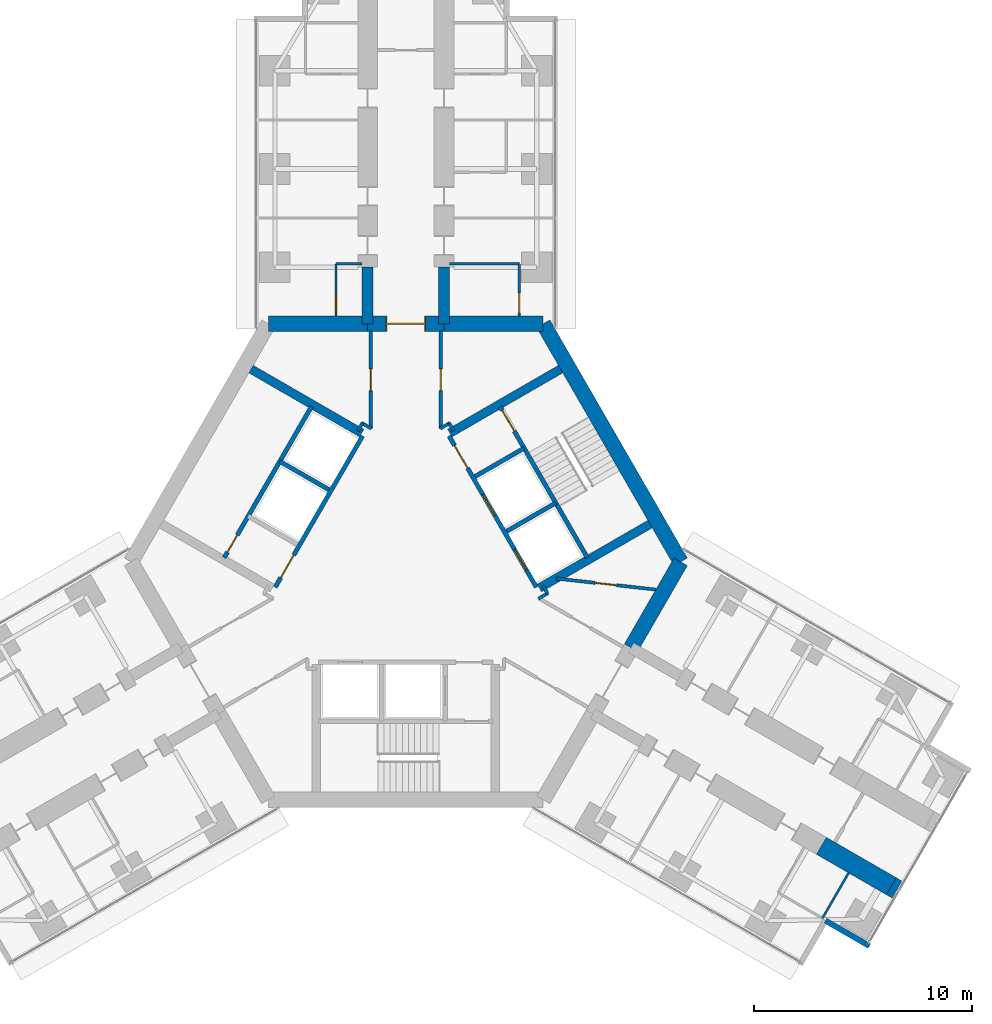
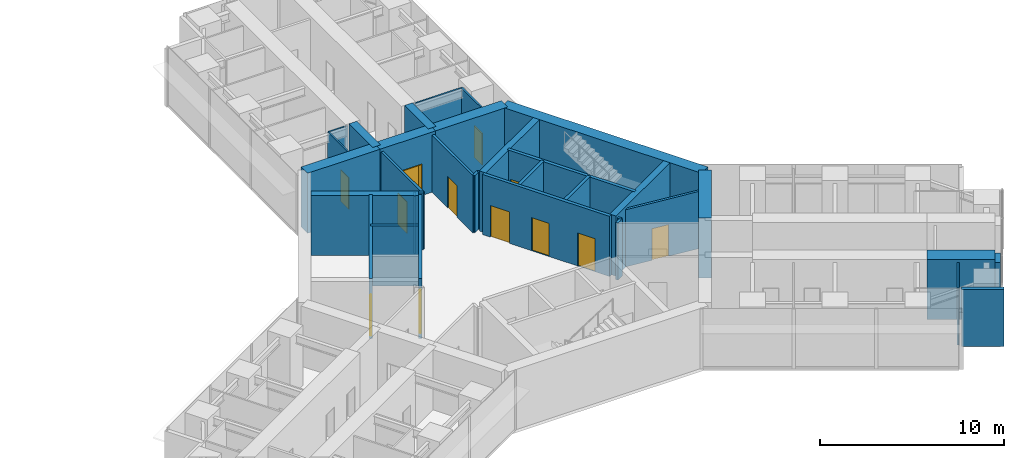
# One storey, part 22 of 25: 34 walls, 12 doors, 12 openings.
"""IFC4 building model written with IfcOpenShell, lengths in metres."""

from ifc_helpers import new_model, si_unit, direction, frame, frame_2d, origin, place, context, subcontext, project, spatial, rectangle, extrude, material, layer, layer_set, type_object, element, fill, save


model = new_model("IFC4")

# Units and contexts
model_context = context("Model", 3, precision=1e-05, world=origin(), true_north=direction((0.0, 1.0)))
body_context = subcontext(model_context, "Body", "Model", "MODEL_VIEW")
ifc_project = project(units=[si_unit("LENGTHUNIT", "METRE"), si_unit("AREAUNIT", "SQUARE_METRE"), si_unit("VOLUMEUNIT", "CUBIC_METRE"), si_unit("PLANEANGLEUNIT", "RADIAN"), si_unit("MASSUNIT", "GRAM", prefix="KILO")], contexts=[model_context])

# Site, building, storey
site_placement = place(None, origin())
site = spatial("IfcSite", under=ifc_project, at=site_placement, CompositionType="ELEMENT")
building_placement = place(site_placement, origin())
building = spatial("IfcBuilding", under=site, at=building_placement, Name="Upepo Twin Towers", CompositionType="ELEMENT")
storey_placement = place(building_placement, frame((0.0, 0.0, 80.5)))
storey = spatial("IfcBuildingStorey", under=building, at=storey_placement, Name="L19", CompositionType="ELEMENT", Elevation=80.5)

# Walls
ifc_material_1 = material(Name="Dense concrete blockwork", Category="masonry")
ifc_layer_1 = layer(ifc_material_1, 0.89990234375)
ifc_layer_set_1 = layer_set([ifc_layer_1], Name="Buttress closer 900, blockwork with fire-stopping to the curtain wall")
wall_type_1 = type_object("IfcWallType", Name="Buttress closer 900, blockwork with fire-stopping to the curtain wall", PredefinedType="PARTITIONING", material=ifc_layer_set_1)
wall_1_placement = place(storey_placement, frame((80.747802734375, -32.865478515625, 0.0), z_axis=(0.0, 0.0, 1.0), x_axis=(0.866054481515, -0.499949632511, 0.0)))
element("IfcWall", 1, at=wall_1_placement, inside=storey, type_object=wall_type_1, Name="T2 L19 wing C buttress closer R", PredefinedType="PARTITIONING", context=body_context, shape_type="SweptSolid", body=[
    extrude(rectangle(XDim=0.31005859375, YDim=0.89990234375, at=frame_2d((0.155029296875, 0.0))), origin(), (0.0, 0.0, 1.0), 3.800048828125),
])
ifc_material_2 = material(Name="Concrete C60/75", Category="concrete")
ifc_layer_2 = layer(ifc_material_2, 0.5)
ifc_layer_set_2 = layer_set([ifc_layer_2], Name="Concrete C60/75")
wall_type_2 = type_object("IfcWallType", Name="Buttress wall 500 RC", PredefinedType="SHEAR", material=ifc_layer_set_2)
for number, where, z_axis, x_axis, name in (
    (2, (56.75, -7.091552734375, 0.0), (0.0, 0.0, 1.0), (0.0, 1.0, 0.0), "T2 wing A buttress wall L"),
    (3, (60.25, -7.091552734375, 0.0), (0.0, 0.0, 1.0), (0.0, 1.0, 0.0), "T2 wing A buttress wall R"),
):
    element("IfcWall", number, at=place(storey_placement, frame(where, z_axis=z_axis, x_axis=x_axis)), inside=storey, type_object=wall_type_2, Name=name, PredefinedType="SHEAR", context=body_context, shape_type="SweptSolid", body=[
        extrude(rectangle(XDim=2.591552734375, YDim=0.5, at=frame_2d((1.2958984375, 0.0))), origin(), (0.0, 0.0, 1.0), 4.0),
    ])
ifc_material_3 = material(Name="Concrete C60/75", Category="concrete")
ifc_layer_3 = layer(ifc_material_3, 0.89990234375)
ifc_layer_set_3 = layer_set([ifc_layer_3], Name="Concrete C60/75")
wall_type_3 = type_object("IfcWallType", Name="Buttress wall 900 RC", PredefinedType="SHEAR", material=ifc_layer_set_3)
wall_2_placement = place(storey_placement, frame((77.543701171875, -31.015625, 0.0), z_axis=(0.0, 0.0, 1.0), x_axis=(0.866029545028, -0.499992827086, 0.0)))
element("IfcWall", 4, at=wall_2_placement, inside=storey, type_object=wall_type_3, Name="T2 wing C buttress wall R part 3", PredefinedType="SHEAR", context=body_context, shape_type="SweptSolid", body=[
    extrude(rectangle(XDim=3.69970703125, YDim=0.89990234375, at=frame_2d((1.849853515625, 0.0))), origin(), (0.0, 0.0, 1.0), 4.0),
])
ifc_material_4 = material(Name="Concrete C60/75", Category="concrete")
ifc_layer_4 = layer(ifc_material_4, 0.699951171875)
ifc_layer_set_4 = layer_set([ifc_layer_4], Name="Concrete C60/75")
wall_type_4 = type_object("IfcWallType", Name="Core wall 700 RC", PredefinedType="SHEAR", material=ifc_layer_set_4)
wall_3_placement = place(storey_placement, frame((64.7978515625, -7.091552734375, 0.0), z_axis=(0.0, 0.0, 1.0), x_axis=(-1.0, 0.0, 0.0)))
element("IfcWall", 5, at=wall_3_placement, inside=storey, type_object=wall_type_4, Name="T2 core wall 000 R", PredefinedType="SHEAR", context=body_context, shape_type="SweptSolid", body=[
    extrude(rectangle(XDim=4.5478515625, YDim=0.699951171875, at=frame_2d((2.27392578125, 0.0))), origin(), (0.0, 0.0, 1.0), 4.0),
])

# Wall, opening, door
wall_4_placement = place(storey_placement, frame((60.25, -7.091552734375, 0.0), z_axis=(0.0, 0.0, 1.0), x_axis=(-1.0, 0.0, 0.0)))
wall_4 = element("IfcWall", 6, at=wall_4_placement, inside=storey, type_object=wall_type_4, Name="T2 core wall 000", PredefinedType="SHEAR", context=body_context, shape_type="SweptSolid", body=[
    extrude(rectangle(XDim=3.5, YDim=0.699951171875, at=frame_2d((1.75, 0.0))), origin(), (0.0, 0.0, 1.0), 4.0),
])
opening_1_placement = place(wall_4_placement, frame((0.85009765625, 0.0, 0.0)))
opening_1 = element("IfcOpeningElement", 7, at=opening_1_placement, cuts=wall_4, Name="Opening D2", PredefinedType="OPENING", context=body_context, shape_type="SweptSolid", body=[
    extrude(rectangle(XDim=1.800048828125, YDim=2.10009765625, at=frame_2d((0.89990234375, 1.050048828125))), frame((0.0, 0.35986328125, 0.0), z_axis=(0.0, -1.0, 0.0), x_axis=(1.0, 0.0, 0.0)), (0.0, 0.0, 1.0), 0.719970703125),
])
ifc_material_5 = material(Name="Timber doorset", Category="wood")
door_type_1 = type_object("IfcDoorType", Name="Corridor double door 1800 FD60", OperationType="DOUBLE_DOOR_DOUBLE_SWING", PredefinedType="DOOR", material=ifc_material_5)
door_1_placement = place(opening_1_placement, origin())
door_1 = element("IfcDoor", 8, at=door_1_placement, inside=storey, type_object=door_type_1, Name="T2 L19 wing A corridor door", OperationType="DOUBLE_DOOR_DOUBLE_SWING", OverallHeight=2.10009765625, OverallWidth=1.800048828125, PredefinedType="DOOR", context=body_context, shape_type="SweptSolid", body=[
    extrude(rectangle(XDim=1.720048828125, YDim=2.06009765625, at=frame_2d((0.89990234375, 1.030029296875))), frame((0.0, 0.02490234375, 0.0), z_axis=(0.0, -1.0, 0.0), x_axis=(1.0, 0.0, 0.0)), (0.0, 0.0, 1.0), 0.050048828125),
    extrude(rectangle(XDim=0.04, YDim=2.10009765625, at=frame_2d((0.02001953125, 1.050048828125))), frame((0.0, 0.349609375, 0.0), z_axis=(0.0, -1.0, 0.0), x_axis=(1.0, 0.0, 0.0)), (0.0, 0.0, 1.0), 0.699462890625),
    extrude(rectangle(XDim=0.04, YDim=2.10009765625, at=frame_2d((1.780029296875, 1.050048828125))), frame((0.0, 0.349609375, 0.0), z_axis=(0.0, -1.0, 0.0), x_axis=(1.0, 0.0, 0.0)), (0.0, 0.0, 1.0), 0.699462890625),
    extrude(rectangle(XDim=1.720048828125, YDim=0.04, at=frame_2d((0.89990234375, 2.080078125))), frame((0.0, 0.349609375, 0.0), z_axis=(0.0, -1.0, 0.0), x_axis=(1.0, 0.0, 0.0)), (0.0, 0.0, 1.0), 0.699462890625),
])
fill(opening_1, door_1)

# Walls
wall_5_placement = place(storey_placement, frame((56.75, -7.091552734375, 0.0), z_axis=(0.0, 0.0, 1.0), x_axis=(-1.0, 0.0, 0.0)))
element("IfcWall", 9, at=wall_5_placement, inside=storey, type_object=wall_type_4, Name="T2 core wall 000 L", PredefinedType="SHEAR", context=body_context, shape_type="SweptSolid", body=[
    extrude(rectangle(XDim=4.5478515625, YDim=0.699951171875, at=frame_2d((2.27392578125, 0.0))), origin(), (0.0, 0.0, 1.0), 4.0),
])
wall_6_placement = place(storey_placement, frame((68.82177734375, -21.938720703125, 0.0), z_axis=(0.0, 0.0, 1.0), x_axis=(0.500024481964, 0.866011268655, 0.0)))
element("IfcWall", 10, at=wall_6_placement, inside=storey, type_object=wall_type_4, Name="T2 core wall 240 L", PredefinedType="SHEAR", context=body_context, shape_type="SweptSolid", body=[
    extrude(rectangle(XDim=4.548095703125, YDim=0.699951171875, at=frame_2d((2.27392578125, 0.0))), origin(), (0.0, 0.0, 1.0), 4.0),
])
wall_7_placement = place(storey_placement, frame((71.095947265625, -18.0, 0.0), z_axis=(0.0, 0.0, 1.0), x_axis=(-0.500005998175, 0.866021940709, 0.0)))
element("IfcWall", 11, at=wall_7_placement, inside=storey, type_object=wall_type_4, Name="T2 core wall 300", PredefinedType="SHEAR", context=body_context, shape_type="SweptSolid", body=[
    extrude(rectangle(XDim=12.595947265625, YDim=0.699951171875, at=frame_2d((6.2978515625, 0.0))), origin(), (0.0, 0.0, 1.0), 4.0),
])
ifc_material_6 = material(Name="Blockwork with anodised aluminium cladding", Category="masonry")
ifc_layer_5 = layer(ifc_material_6, 0.25)
ifc_layer_set_5 = layer_set([ifc_layer_5], Name="Notch cladding wall 250, pale metal")
wall_type_5 = type_object("IfcWallType", Name="Notch cladding wall 250, pale metal", PredefinedType="STANDARD", material=ifc_layer_set_5)
wall_8_placement = place(storey_placement, frame((77.72998046875, -34.44287109375, 0.0), z_axis=(0.0, 0.0, 1.0), x_axis=(0.865998469481, -0.500046648681, 0.0)))
element("IfcWall", 12, at=wall_8_placement, inside=storey, type_object=wall_type_5, Name="T2 L19 wing C notch wall R2", PredefinedType="STANDARD", context=body_context, shape_type="SweptSolid", body=[
    extrude(rectangle(XDim=2.324951171875, YDim=0.25, at=frame_2d((1.16259765625, 0.0))), origin(), (0.0, 0.0, 1.0), 3.800048828125),
])

# Wall, opening, door
ifc_material_7 = material(Name="Gypsum board on steel studs", Category="steel")
ifc_layer_6 = layer(ifc_material_7, 0.10009765625)
ifc_layer_set_6 = layer_set([ifc_layer_6], Name="Office partition 100 stud")
wall_type_6 = type_object("IfcWallType", Name="Office partition 100 stud", PredefinedType="PARTITIONING", material=ifc_layer_set_6)
wall_9_placement = place(storey_placement, frame((55.300048828125, -6.741943359375, 0.0), z_axis=(0.0, 0.0, 1.0), x_axis=(0.0, 1.0, 0.0)))
wall_9 = element("IfcWall", 13, at=wall_9_placement, inside=storey, type_object=wall_type_6, Name="T2 WC bay partition AL at 11.26", PredefinedType="PARTITIONING", context=body_context, shape_type="SweptSolid", body=[
    extrude(rectangle(XDim=2.39990234375, YDim=0.10009765625, at=frame_2d((1.199951171875, 0.0))), origin(), (0.0, 0.0, 1.0), 3.800048828125),
])
opening_2_placement = place(wall_9_placement, frame((0.14990234375, 0.0, 0.0)))
opening_2 = element("IfcOpeningElement", 14, at=opening_2_placement, cuts=wall_9, Name="Opening D14", PredefinedType="OPENING", context=body_context, shape_type="SweptSolid", body=[
    extrude(rectangle(XDim=0.89990234375, YDim=2.10009765625, at=frame_2d((0.449951171875, 1.050048828125))), frame((0.0, 0.06005859375, 0.0), z_axis=(0.0, -1.0, 0.0), x_axis=(1.0, 0.0, 0.0)), (0.0, 0.0, 1.0), 0.1201171875),
])
ifc_material_8 = material(Name="Timber doorset", Category="wood")
door_type_2 = type_object("IfcDoorType", Name="Office door 900 FD30", OperationType="SINGLE_SWING_LEFT", PredefinedType="DOOR", material=ifc_material_8)
door_2_placement = place(opening_2_placement, origin())
door_2 = element("IfcDoor", 15, at=door_2_placement, inside=storey, type_object=door_type_2, Name="T2 L19 WC bay inner room door", OperationType="SINGLE_SWING_LEFT", OverallHeight=2.10009765625, OverallWidth=0.89990234375, PredefinedType="DOOR", context=body_context, shape_type="SweptSolid", body=[
    extrude(rectangle(XDim=0.89990234375, YDim=2.10009765625, at=frame_2d((0.449951171875, 1.050048828125))), frame((0.0, 0.02490234375, 0.0), z_axis=(0.0, -1.0, 0.0), x_axis=(1.0, 0.0, 0.0)), (0.0, 0.0, 1.0), 0.050048828125),
])
fill(opening_2, door_2)

# Wall
wall_10_placement = place(storey_placement, frame((56.5, -4.342041015625, 0.0), z_axis=(0.0, 0.0, 1.0), x_axis=(-1.0, 0.0, 0.0)))
element("IfcWall", 16, at=wall_10_placement, inside=storey, type_object=wall_type_6, Name="T2 WC bay partition AL end at 13.66", PredefinedType="PARTITIONING", context=body_context, shape_type="SweptSolid", body=[
    extrude(rectangle(XDim=1.199951171875, YDim=0.10009765625, at=frame_2d((0.60009765625, 0.0))), origin(), (0.0, 0.0, 1.0), 3.800048828125),
])

# Wall, opening, door
wall_11_placement = place(storey_placement, frame((63.699951171875, -6.741943359375, 0.0), z_axis=(0.0, 0.0, 1.0), x_axis=(0.0, 1.0, 0.0)))
wall_11 = element("IfcWall", 17, at=wall_11_placement, inside=storey, type_object=wall_type_6, Name="T2 WC bay partition AR at 11.26", PredefinedType="PARTITIONING", context=body_context, shape_type="SweptSolid", body=[
    extrude(rectangle(XDim=2.39990234375, YDim=0.10009765625, at=frame_2d((1.199951171875, 0.0))), origin(), (0.0, 0.0, 1.0), 3.800048828125),
])
opening_3_placement = place(wall_11_placement, frame((0.14990234375, 0.0, 0.0)))
opening_3 = element("IfcOpeningElement", 18, at=opening_3_placement, cuts=wall_11, Name="Opening D14", PredefinedType="OPENING", context=body_context, shape_type="SweptSolid", body=[
    extrude(rectangle(XDim=0.89990234375, YDim=2.10009765625, at=frame_2d((0.449951171875, 1.050048828125))), frame((0.0, 0.06005859375, 0.0), z_axis=(0.0, -1.0, 0.0), x_axis=(1.0, 0.0, 0.0)), (0.0, 0.0, 1.0), 0.1201171875),
])
door_3_placement = place(opening_3_placement, origin())
door_3 = element("IfcDoor", 19, at=door_3_placement, inside=storey, type_object=door_type_2, Name="T2 L19 WC bay inner room door", OperationType="SINGLE_SWING_LEFT", OverallHeight=2.10009765625, OverallWidth=0.89990234375, PredefinedType="DOOR", context=body_context, shape_type="SweptSolid", body=[
    extrude(rectangle(XDim=0.89990234375, YDim=2.10009765625, at=frame_2d((0.449951171875, 1.050048828125))), frame((0.0, 0.02490234375, 0.0), z_axis=(0.0, -1.0, 0.0), x_axis=(1.0, 0.0, 0.0)), (0.0, 0.0, 1.0), 0.050048828125),
])
fill(opening_3, door_3)

# Walls
wall_12_placement = place(storey_placement, frame((60.5, -4.342041015625, 0.0), z_axis=(0.0, 0.0, 1.0), x_axis=(1.0, 0.0, 0.0)))
element("IfcWall", 20, at=wall_12_placement, inside=storey, type_object=wall_type_6, Name="T2 WC bay partition AR end at 13.66", PredefinedType="PARTITIONING", context=body_context, shape_type="SweptSolid", body=[
    extrude(rectangle(XDim=3.199951171875, YDim=0.10009765625, at=frame_2d((1.60009765625, 0.0))), origin(), (0.0, 0.0, 1.0), 3.800048828125),
])
wall_13_placement = place(storey_placement, frame((78.790771484375, -32.25537109375, 0.0), z_axis=(0.0, 0.0, 1.0), x_axis=(-0.500001309137, -0.866024647952, 0.0)))
element("IfcWall", 21, at=wall_13_placement, inside=storey, type_object=wall_type_6, Name="T2 inner room partition CR end at 24.75", PredefinedType="PARTITIONING", context=body_context, shape_type="SweptSolid", body=[
    extrude(rectangle(XDim=2.39990234375, YDim=0.10009765625, at=frame_2d((1.199951171875, 0.0))), origin(), (0.0, 0.0, 1.0), 3.800048828125),
])

# Wall, opening, door
ifc_material_9 = material(Name="Concrete C40/50", Category="concrete")
ifc_layer_7 = layer(ifc_material_9, 0.199951171875)
ifc_layer_set_7 = layer_set([ifc_layer_7], Name="Concrete C40/50")
wall_type_7 = type_object("IfcWallType", Name="Shaft wall 200 RC", PredefinedType="SHEAR", material=ifc_layer_set_7)
wall_14_placement = place(storey_placement, frame((56.516357421875, -12.23583984375, 0.0), z_axis=(0.0, 0.0, 1.0), x_axis=(-0.49999894854, -0.866026010844, 0.0)))
wall_14 = element("IfcWall", 22, at=wall_14_placement, inside=storey, type_object=wall_type_7, Name="T2 core W60 front wall", PredefinedType="SHEAR", context=body_context, shape_type="SweptSolid", body=[
    extrude(rectangle(XDim=8.0, YDim=0.199951171875, at=frame_2d((4.0, 0.0))), origin(), (0.0, 0.0, 1.0), 4.0),
])
opening_4_placement = place(wall_14_placement, frame((6.300048828125, 0.0, 0.0)))
opening_4 = element("IfcOpeningElement", 23, at=opening_4_placement, cuts=wall_14, Name="Opening D4", PredefinedType="OPENING", context=body_context, shape_type="SweptSolid", body=[
    extrude(rectangle(XDim=1.199951171875, YDim=2.10009765625, at=frame_2d((0.60009765625, 1.050048828125))), frame((0.0, 0.10986328125, 0.0), z_axis=(0.0, -1.0, 0.0), x_axis=(1.0, 0.0, 0.0)), (0.0, 0.0, 1.0), 0.219970703125),
])
ifc_material_10 = material(Name="Timber doorset", Category="wood")
door_type_3 = type_object("IfcDoorType", Name="Lobby door 1200 FD60", OperationType="SINGLE_SWING_LEFT", PredefinedType="DOOR", material=ifc_material_10)
door_4_placement = place(opening_4_placement, origin())
door_4 = element("IfcDoor", 24, at=door_4_placement, inside=storey, type_object=door_type_3, Name="T2 L19 W60 lobby door", OperationType="SINGLE_SWING_RIGHT", OverallHeight=2.10009765625, OverallWidth=1.199951171875, PredefinedType="DOOR", context=body_context, shape_type="SweptSolid", body=[
    extrude(rectangle(XDim=1.199951171875, YDim=2.10009765625, at=frame_2d((0.60009765625, 1.050048828125))), frame((0.0, 0.02490234375, 0.0), z_axis=(0.0, -1.0, 0.0), x_axis=(1.0, 0.0, 0.0)), (0.0, 0.0, 1.0), 0.050048828125),
])
fill(opening_4, door_4)

# Wall
wall_15_placement = place(storey_placement, frame((54.979736328125, -14.697265625, 0.0), z_axis=(0.0, 0.0, 1.0), x_axis=(-0.866062058628, 0.499936506574, 0.0)))
element("IfcWall", 25, at=wall_15_placement, inside=storey, type_object=wall_type_7, Name="T2 core W60 shaft divider", PredefinedType="SHEAR", context=body_context, shape_type="SweptSolid", body=[
    extrude(rectangle(XDim=2.599853515625, YDim=0.199951171875, at=frame_2d((1.2998046875, 0.0))), origin(), (0.0, 0.0, 1.0), 4.0),
])

# Wall, opening, door
wall_16_placement = place(storey_placement, frame((54.177978515625, -10.885986328125, 0.0), z_axis=(0.0, 0.0, 1.0), x_axis=(-0.49999894854, -0.866026010844, 0.0)))
wall_16 = element("IfcWall", 26, at=wall_16_placement, inside=storey, type_object=wall_type_7, Name="T2 core W60 stair wall", PredefinedType="SHEAR", context=body_context, shape_type="SweptSolid", body=[
    extrude(rectangle(XDim=8.0, YDim=0.199951171875, at=frame_2d((4.0, 0.0))), origin(), (0.0, 0.0, 1.0), 4.0),
])
opening_5_placement = place(wall_16_placement, frame((6.800048828125, 0.0, 0.0)))
opening_5 = element("IfcOpeningElement", 27, at=opening_5_placement, cuts=wall_16, Name="Opening D9", PredefinedType="OPENING", context=body_context, shape_type="SweptSolid", body=[
    extrude(rectangle(XDim=0.89990234375, YDim=2.10009765625, at=frame_2d((0.449951171875, 1.050048828125))), frame((0.0, 0.10986328125, 0.0), z_axis=(0.0, -1.0, 0.0), x_axis=(1.0, 0.0, 0.0)), (0.0, 0.0, 1.0), 0.219970703125),
])
ifc_material_11 = material(Name="Timber doorset", Category="wood")
door_type_4 = type_object("IfcDoorType", Name="Riser door 900 FD60", OperationType="SINGLE_SWING_LEFT", PredefinedType="DOOR", material=ifc_material_11)
door_5_placement = place(opening_5_placement, origin())
door_5 = element("IfcDoor", 28, at=door_5_placement, inside=storey, type_object=door_type_4, Name="T2 L19 riser door", OperationType="SINGLE_SWING_RIGHT", OverallHeight=2.10009765625, OverallWidth=0.89990234375, PredefinedType="DOOR", context=body_context, shape_type="SweptSolid", body=[
    extrude(rectangle(XDim=0.89990234375, YDim=2.10009765625, at=frame_2d((0.449951171875, 1.050048828125))), frame((0.0, 0.02490234375, 0.0), z_axis=(0.0, -1.0, 0.0), x_axis=(1.0, 0.0, 0.0)), (0.0, 0.0, 1.0), 0.050048828125),
])
fill(opening_5, door_5)

# Wall, openings, doors
wall_17_placement = place(storey_placement, frame((64.483642578125, -19.1640625, 0.0), z_axis=(0.0, 0.0, 1.0), x_axis=(-0.49999894854, 0.866026010844, 0.0)))
wall_17 = element("IfcWall", 29, at=wall_17_placement, inside=storey, type_object=wall_type_7, Name="T2 core W300 front wall", PredefinedType="SHEAR", context=body_context, shape_type="SweptSolid", body=[
    extrude(rectangle(XDim=8.0, YDim=0.199951171875, at=frame_2d((4.0, 0.0))), origin(), (0.0, 0.0, 1.0), 4.0),
])
opening_6_placement = place(wall_17_placement, frame((6.300048828125, 0.0, 0.0)))
opening_6 = element("IfcOpeningElement", 30, at=opening_6_placement, cuts=wall_17, Name="Opening D4", PredefinedType="OPENING", context=body_context, shape_type="SweptSolid", body=[
    extrude(rectangle(XDim=1.199951171875, YDim=2.10009765625, at=frame_2d((0.60009765625, 1.050048828125))), frame((0.0, 0.10986328125, 0.0), z_axis=(0.0, -1.0, 0.0), x_axis=(1.0, 0.0, 0.0)), (0.0, 0.0, 1.0), 0.219970703125),
])
opening_7_placement = place(wall_17_placement, frame((0.89990234375, 0.0, 0.0)))
opening_7 = element("IfcOpeningElement", 31, at=opening_7_placement, cuts=wall_17, Name="Opening LD1", PredefinedType="OPENING", context=body_context, shape_type="SweptSolid", body=[
    extrude(rectangle(XDim=1.10009765625, YDim=2.199951171875, at=frame_2d((0.550048828125, 1.10009765625))), frame((0.0, 0.10986328125, 0.0), z_axis=(0.0, -1.0, 0.0), x_axis=(1.0, 0.0, 0.0)), (0.0, 0.0, 1.0), 0.219970703125),
])
opening_8_placement = place(wall_17_placement, frame((3.800048828125, 0.0, 0.0)))
opening_8 = element("IfcOpeningElement", 32, at=opening_8_placement, cuts=wall_17, Name="Opening LD1", PredefinedType="OPENING", context=body_context, shape_type="SweptSolid", body=[
    extrude(rectangle(XDim=1.10009765625, YDim=2.199951171875, at=frame_2d((0.550048828125, 1.10009765625))), frame((0.0, 0.10986328125, 0.0), z_axis=(0.0, -1.0, 0.0), x_axis=(1.0, 0.0, 0.0)), (0.0, 0.0, 1.0), 0.219970703125),
])
ifc_material_12 = material(Name="Steel doorset", Category="steel")
door_type_5 = type_object("IfcDoorType", Name="Lift landing door 1100", OperationType="DOUBLE_DOOR_SLIDING", PredefinedType="DOOR", material=ifc_material_12)
door_6_placement = place(opening_7_placement, origin())
door_6 = element("IfcDoor", 33, at=door_6_placement, inside=storey, type_object=door_type_5, Name="T2 L19 lift LL1 landing door", OperationType="DOUBLE_DOOR_SLIDING", OverallHeight=2.199951171875, OverallWidth=1.10009765625, PredefinedType="DOOR", context=body_context, shape_type="SweptSolid", body=[
    extrude(rectangle(XDim=1.10009765625, YDim=2.199951171875, at=frame_2d((0.550048828125, 1.10009765625))), frame((0.0, 0.02490234375, 0.0), z_axis=(0.0, -1.0, 0.0), x_axis=(1.0, 0.0, 0.0)), (0.0, 0.0, 1.0), 0.050048828125),
])
fill(opening_7, door_6)
door_7_placement = place(opening_8_placement, origin())
door_7 = element("IfcDoor", 34, at=door_7_placement, inside=storey, type_object=door_type_5, Name="T2 L19 lift LL2 landing door", OperationType="DOUBLE_DOOR_SLIDING", OverallHeight=2.199951171875, OverallWidth=1.10009765625, PredefinedType="DOOR", context=body_context, shape_type="SweptSolid", body=[
    extrude(rectangle(XDim=1.10009765625, YDim=2.199951171875, at=frame_2d((0.550048828125, 1.10009765625))), frame((0.0, 0.02490234375, 0.0), z_axis=(0.0, -1.0, 0.0), x_axis=(1.0, 0.0, 0.0)), (0.0, 0.0, 1.0), 0.050048828125),
])
fill(opening_8, door_7)
door_8_placement = place(opening_6_placement, origin())
door_8 = element("IfcDoor", 35, at=door_8_placement, inside=storey, type_object=door_type_3, Name="T2 L19 W300 lobby door", OperationType="SINGLE_SWING_RIGHT", OverallHeight=2.10009765625, OverallWidth=1.199951171875, PredefinedType="DOOR", context=body_context, shape_type="SweptSolid", body=[
    extrude(rectangle(XDim=1.199951171875, YDim=2.10009765625, at=frame_2d((0.60009765625, 1.050048828125))), frame((0.0, 0.02490234375, 0.0), z_axis=(0.0, -1.0, 0.0), x_axis=(1.0, 0.0, 0.0)), (0.0, 0.0, 1.0), 0.050048828125),
])
fill(opening_6, door_8)

# Walls
wall_18_placement = place(storey_placement, frame((63.120361328125, -16.6025390625, 0.0), z_axis=(0.0, 0.0, 1.0), x_axis=(0.866062058628, 0.499936506574, 0.0)))
element("IfcWall", 36, at=wall_18_placement, inside=storey, type_object=wall_type_7, Name="T2 core W300 shaft divider", PredefinedType="SHEAR", context=body_context, shape_type="SweptSolid", body=[
    extrude(rectangle(XDim=2.599853515625, YDim=0.199951171875, at=frame_2d((1.2998046875, 0.0))), origin(), (0.0, 0.0, 1.0), 4.0),
])
wall_19_placement = place(storey_placement, frame((61.67041015625, -14.091064453125, 0.0), z_axis=(0.0, 0.0, 1.0), x_axis=(0.86603858612, 0.49997716683, 0.0)))
element("IfcWall", 37, at=wall_19_placement, inside=storey, type_object=wall_type_7, Name="T2 core W300 lobby wall", PredefinedType="SHEAR", context=body_context, shape_type="SweptSolid", body=[
    extrude(rectangle(XDim=2.599609375, YDim=0.199951171875, at=frame_2d((1.2998046875, 0.0))), origin(), (0.0, 0.0, 1.0), 4.0),
])

# Wall, opening, door
wall_20_placement = place(storey_placement, frame((66.822021484375, -17.814208984375, 0.0), z_axis=(0.0, 0.0, 1.0), x_axis=(-0.49999894854, 0.866026010844, 0.0)))
wall_20 = element("IfcWall", 38, at=wall_20_placement, inside=storey, type_object=wall_type_7, Name="T2 core W300 stair wall", PredefinedType="SHEAR", context=body_context, shape_type="SweptSolid", body=[
    extrude(rectangle(XDim=8.0, YDim=0.199951171875, at=frame_2d((4.0, 0.0))), origin(), (0.0, 0.0, 1.0), 4.0),
])
opening_9_placement = place(wall_20_placement, frame((6.699951171875, 0.0, 0.0)))
opening_9 = element("IfcOpeningElement", 39, at=opening_9_placement, cuts=wall_20, Name="Opening D3", PredefinedType="OPENING", context=body_context, shape_type="SweptSolid", body=[
    extrude(rectangle(XDim=1.10009765625, YDim=2.10009765625, at=frame_2d((0.550048828125, 1.050048828125))), frame((0.0, 0.10986328125, 0.0), z_axis=(0.0, -1.0, 0.0), x_axis=(1.0, 0.0, 0.0)), (0.0, 0.0, 1.0), 0.219970703125),
])
ifc_material_13 = material(Name="Timber doorset", Category="wood")
door_type_6 = type_object("IfcDoorType", Name="Stair door 1100 FD60", OperationType="SINGLE_SWING_LEFT", PredefinedType="DOOR", material=ifc_material_13)
door_9_placement = place(opening_9_placement, origin())
door_9 = element("IfcDoor", 40, at=door_9_placement, inside=storey, type_object=door_type_6, Name="T2 L19 stair door", OperationType="SINGLE_SWING_RIGHT", OverallHeight=2.10009765625, OverallWidth=1.10009765625, PredefinedType="DOOR", context=body_context, shape_type="SweptSolid", body=[
    extrude(rectangle(XDim=1.10009765625, YDim=2.10009765625, at=frame_2d((0.550048828125, 1.050048828125))), frame((0.0, 0.02490234375, 0.0), z_axis=(0.0, -1.0, 0.0), x_axis=(1.0, 0.0, 0.0)), (0.0, 0.0, 1.0), 0.050048828125),
])
fill(opening_9, door_9)

# Walls
ifc_material_14 = material(Name="Concrete C40/50", Category="concrete")
ifc_layer_8 = layer(ifc_material_14, 0.39990234375)
ifc_layer_set_8 = layer_set([ifc_layer_8], Name="Concrete C40/50")
wall_type_8 = type_object("IfcWallType", Name="Shaft wall 400 RC", PredefinedType="SHEAR", material=ifc_layer_set_8)
for number, where, z_axis, x_axis, name in (
    (41, (56.479736328125, -12.099365234375, 0.0), (0.0, 0.0, 1.0), (-0.866023886965, 0.500002627198, 0.0), "T2 core W60 side wall S"),
    (42, (60.520263671875, -12.099365234375, 0.0), (0.0, 0.0, 1.0), (0.866023886965, 0.500002627198, 0.0), "T2 core W300 side wall N"),
    (43, (64.620361328125, -19.20068359375, 0.0), (0.0, 0.0, 1.0), (0.866023886965, 0.500002627198, 0.0), "T2 core W300 side wall S"),
):
    element("IfcWall", number, at=place(storey_placement, frame(where, z_axis=z_axis, x_axis=x_axis)), inside=storey, type_object=wall_type_8, Name=name, PredefinedType="SHEAR", context=body_context, shape_type="SweptSolid", body=[
        extrude(rectangle(XDim=5.8583984375, YDim=0.39990234375, at=frame_2d((2.92919921875, 0.0))), origin(), (0.0, 0.0, 1.0), 4.0),
    ])
ifc_material_15 = material(Name="Gypsum board on steel studs", Category="steel")
ifc_layer_9 = layer(ifc_material_15, 0.14990234375)
ifc_layer_set_9 = layer_set([ifc_layer_9], Name="Teaching partition 150 acoustic")
wall_type_9 = type_object("IfcWallType", Name="Teaching partition 150 acoustic", PredefinedType="PARTITIONING", material=ifc_layer_set_9)
wall_21_placement = place(storey_placement, frame((56.301513671875, -12.0078125, 0.0), z_axis=(0.0, 0.0, 1.0), x_axis=(0.500230298122, 0.865892400268, 0.0)))
element("IfcWall", 44, at=wall_21_placement, inside=storey, type_object=wall_type_9, Name="T2 core room partition 6", PredefinedType="PARTITIONING", context=body_context, shape_type="SweptSolid", body=[
    extrude(rectangle(XDim=0.429931640625, YDim=0.14990234375, at=frame_2d((0.21484375, 0.0))), origin(), (0.0, 0.0, 1.0), 3.800048828125),
])
wall_22_placement = place(storey_placement, frame((56.4892578125, -11.642822265625, 0.0), z_axis=(0.0, 0.0, 1.0), x_axis=(0.865831790172, -0.50033519877, 0.0)))
element("IfcWall", 45, at=wall_22_placement, inside=storey, type_object=wall_type_9, Name="T2 core room partition 7", PredefinedType="PARTITIONING", context=body_context, shape_type="SweptSolid", body=[
    extrude(rectangle(XDim=0.494384765625, YDim=0.14990234375, at=frame_2d((0.2470703125, 0.0))), origin(), (0.0, 0.0, 1.0), 3.800048828125),
])

# Wall, opening, door
wall_23_placement = place(storey_placement, frame((56.89990234375, -11.900146484375, 0.0), z_axis=(0.0, 0.0, 1.0), x_axis=(0.0, 1.0, 0.0)))
wall_23 = element("IfcWall", 46, at=wall_23_placement, inside=storey, type_object=wall_type_9, Name="T2 core room partition 8", PredefinedType="PARTITIONING", context=body_context, shape_type="SweptSolid", body=[
    extrude(rectangle(XDim=4.468505859375, YDim=0.14990234375, at=frame_2d((2.234375, 0.0))), origin(), (0.0, 0.0, 1.0), 3.800048828125),
])
opening_10_placement = place(wall_23_placement, frame((1.744384765625, 0.0, 0.0)))
opening_10 = element("IfcOpeningElement", 47, at=opening_10_placement, cuts=wall_23, Name="Opening D1", PredefinedType="OPENING", context=body_context, shape_type="SweptSolid", body=[
    extrude(rectangle(XDim=1.0, YDim=2.10009765625, at=frame_2d((0.5, 1.050048828125))), frame((0.0, 0.0849609375, 0.0), z_axis=(0.0, -1.0, 0.0), x_axis=(1.0, 0.0, 0.0)), (0.0, 0.0, 1.0), 0.169921875),
])
ifc_material_16 = material(Name="Timber doorset", Category="wood")
door_type_7 = type_object("IfcDoorType", Name="Room door 1000 FD30", OperationType="SINGLE_SWING_LEFT", PredefinedType="DOOR", material=ifc_material_16)
door_10_placement = place(opening_10_placement, origin())
door_10 = element("IfcDoor", 48, at=door_10_placement, inside=storey, type_object=door_type_7, Name="T2 L19 core room door K7", OperationType="SINGLE_SWING_RIGHT", OverallHeight=2.10009765625, OverallWidth=1.0, PredefinedType="DOOR", context=body_context, shape_type="SweptSolid", body=[
    extrude(rectangle(XDim=1.0, YDim=2.10009765625, at=frame_2d((0.5, 1.050048828125))), frame((0.0, 0.02490234375, 0.0), z_axis=(0.0, -1.0, 0.0), x_axis=(1.0, 0.0, 0.0)), (0.0, 0.0, 1.0), 0.050048828125),
])
fill(opening_10, door_10)

wall_24_placement = place(storey_placement, frame((60.10009765625, -7.431640625, 0.0), z_axis=(0.0, 0.0, 1.0), x_axis=(0.0, -1.0, 0.0)))
wall_24 = element("IfcWall", 49, at=wall_24_placement, inside=storey, type_object=wall_type_9, Name="T2 core room partition 9", PredefinedType="PARTITIONING", context=body_context, shape_type="SweptSolid", body=[
    extrude(rectangle(XDim=4.468505859375, YDim=0.14990234375, at=frame_2d((2.234375, 0.0))), origin(), (0.0, 0.0, 1.0), 3.800048828125),
])
opening_11_placement = place(wall_24_placement, frame((1.72412109375, 0.0, 0.0)))
opening_11 = element("IfcOpeningElement", 50, at=opening_11_placement, cuts=wall_24, Name="Opening D1", PredefinedType="OPENING", context=body_context, shape_type="SweptSolid", body=[
    extrude(rectangle(XDim=1.0, YDim=2.10009765625, at=frame_2d((0.5, 1.050048828125))), frame((0.0, 0.0849609375, 0.0), z_axis=(0.0, -1.0, 0.0), x_axis=(1.0, 0.0, 0.0)), (0.0, 0.0, 1.0), 0.169921875),
])
door_11_placement = place(opening_11_placement, origin())
door_11 = element("IfcDoor", 51, at=door_11_placement, inside=storey, type_object=door_type_7, Name="T2 L19 core room door K6", OperationType="SINGLE_SWING_LEFT", OverallHeight=2.10009765625, OverallWidth=1.0, PredefinedType="DOOR", context=body_context, shape_type="SweptSolid", body=[
    extrude(rectangle(XDim=1.0, YDim=2.10009765625, at=frame_2d((0.5, 1.050048828125))), frame((0.0, 0.02490234375, 0.0), z_axis=(0.0, -1.0, 0.0), x_axis=(1.0, 0.0, 0.0)), (0.0, 0.0, 1.0), 0.050048828125),
])
fill(opening_11, door_11)

# Walls
wall_25_placement = place(storey_placement, frame((60.082763671875, -11.89013671875, 0.0), z_axis=(0.0, 0.0, 1.0), x_axis=(0.865831790172, 0.50033519877, 0.0)))
element("IfcWall", 52, at=wall_25_placement, inside=storey, type_object=wall_type_9, Name="T2 core room partition 10", PredefinedType="PARTITIONING", context=body_context, shape_type="SweptSolid", body=[
    extrude(rectangle(XDim=0.494384765625, YDim=0.14990234375, at=frame_2d((0.2470703125, 0.0))), origin(), (0.0, 0.0, 1.0), 3.800048828125),
])
for number, where, z_axis, x_axis, name in (
    (53, (60.4833984375, -11.635498046875, 0.0), (0.0, 0.0, 1.0), (0.500230298122, -0.865892400268, 0.0), "T2 core room partition 11"),
    (54, (64.78857421875, -19.092041015625, 0.0), (0.0, 0.0, 1.0), (0.499804398801, -0.866138304741, 0.0), "T2 core room partition 12"),
):
    element("IfcWall", number, at=place(storey_placement, frame(where, z_axis=z_axis, x_axis=x_axis)), inside=storey, type_object=wall_type_9, Name=name, PredefinedType="PARTITIONING", context=body_context, shape_type="SweptSolid", body=[
        extrude(rectangle(XDim=0.429931640625, YDim=0.14990234375, at=frame_2d((0.21484375, 0.0))), origin(), (0.0, 0.0, 1.0), 3.800048828125),
    ])
wall_26_placement = place(storey_placement, frame((65.0107421875, -19.43701171875, 0.0), z_axis=(0.0, 0.0, 1.0), x_axis=(-0.865831790172, -0.50033519877, 0.0)))
element("IfcWall", 55, at=wall_26_placement, inside=storey, type_object=wall_type_9, Name="T2 core room partition 13", PredefinedType="PARTITIONING", context=body_context, shape_type="SweptSolid", body=[
    extrude(rectangle(XDim=0.494384765625, YDim=0.14990234375, at=frame_2d((0.2470703125, 0.0))), origin(), (0.0, 0.0, 1.0), 3.800048828125),
])

# Wall, opening, door
wall_27_placement = place(storey_placement, frame((65.376953125, -18.763916015625, 0.0), z_axis=(0.0, 0.0, 1.0), x_axis=(0.993886318744, -0.110408266965, 0.0)))
wall_27 = element("IfcWall", 56, at=wall_27_placement, inside=storey, type_object=wall_type_9, Name="T2 core room partition 19", PredefinedType="PARTITIONING", context=body_context, shape_type="SweptSolid", body=[
    extrude(rectangle(XDim=4.608154296875, YDim=0.14990234375, at=frame_2d((2.30419921875, 0.0))), origin(), (0.0, 0.0, 1.0), 3.800048828125),
])
opening_12_placement = place(wall_27_placement, frame((1.80419921875, 0.0, 0.0)))
opening_12 = element("IfcOpeningElement", 57, at=opening_12_placement, cuts=wall_27, Name="Opening D1", PredefinedType="OPENING", context=body_context, shape_type="SweptSolid", body=[
    extrude(rectangle(XDim=1.0, YDim=2.10009765625, at=frame_2d((0.5, 1.050048828125))), frame((0.0, 0.0849609375, 0.0), z_axis=(0.0, -1.0, 0.0), x_axis=(1.0, 0.0, 0.0)), (0.0, 0.0, 1.0), 0.169921875),
])
door_12_placement = place(opening_12_placement, origin())
door_12 = element("IfcDoor", 58, at=door_12_placement, inside=storey, type_object=door_type_7, Name="T2 L19 core room door K5", OperationType="SINGLE_SWING_LEFT", OverallHeight=2.10009765625, OverallWidth=1.0, PredefinedType="DOOR", context=body_context, shape_type="SweptSolid", body=[
    extrude(rectangle(XDim=1.0, YDim=2.10009765625, at=frame_2d((0.5, 1.050048828125))), frame((0.0, 0.02490234375, 0.0), z_axis=(0.0, -1.0, 0.0), x_axis=(1.0, 0.0, 0.0)), (0.0, 0.0, 1.0), 0.050048828125),
])
fill(opening_12, door_12)

save(model, "model.ifc")
